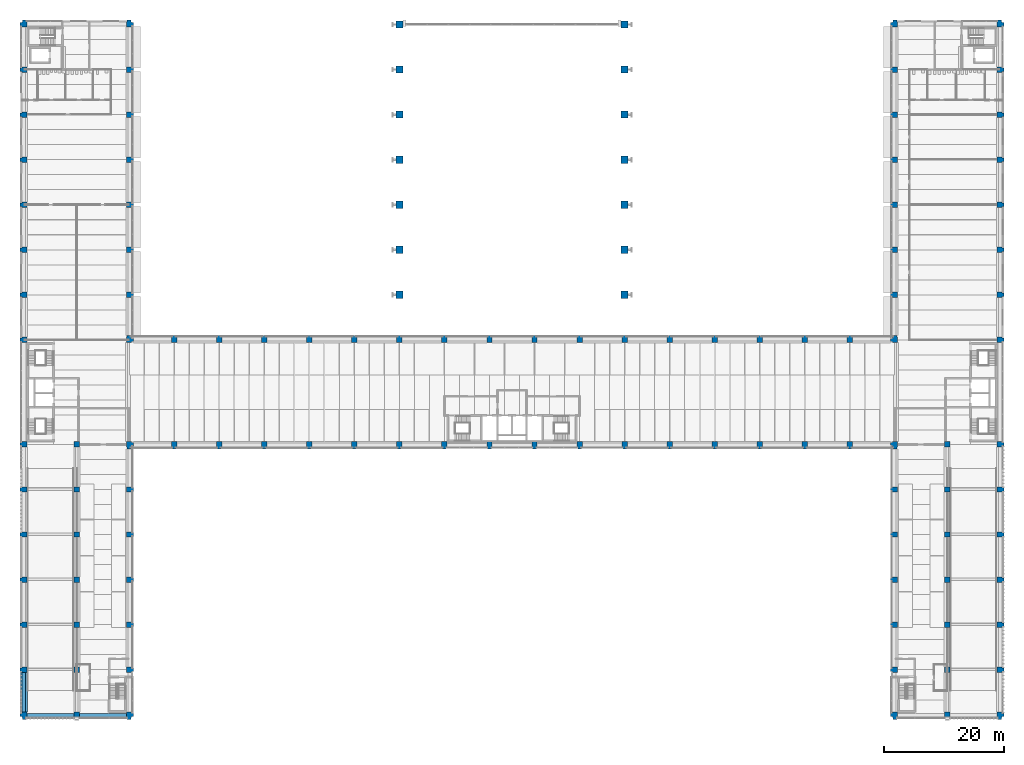
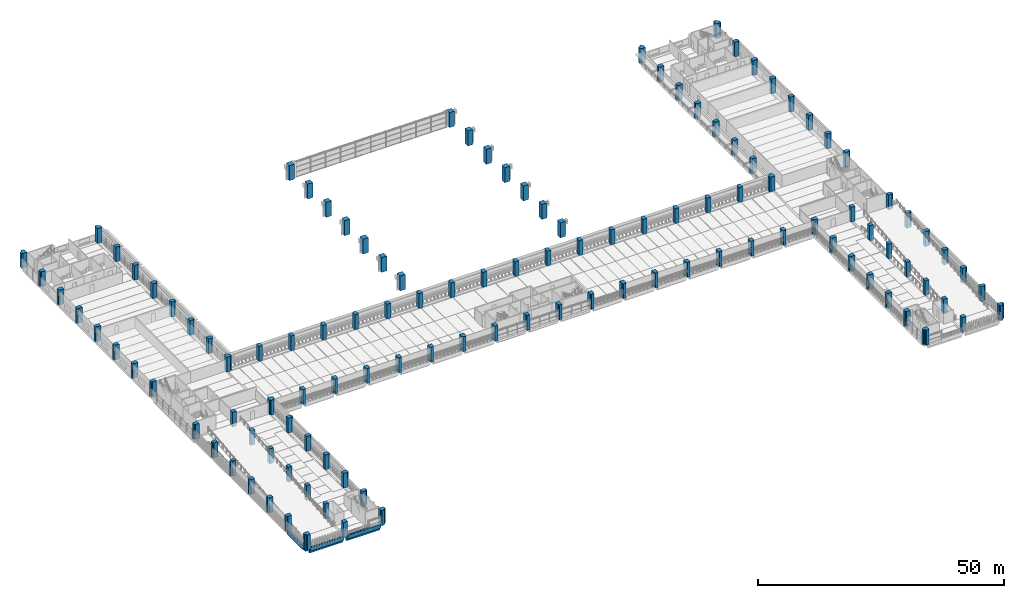
# One storey, part 1 of 57: 120 columns, 3 beams.
"""IFC4 building model written with IfcOpenShell, lengths in metres."""

import ifcopenshell
import ifcopenshell.guid

model = None  # the IFC model being written
_history = None  # IfcOwnerHistory: only IFC2X3 demands one
_inside = {}  # id of a spatial element -> (the spatial element, [elements in it])
_under = {}  # id of a project, library or spatial element -> (it, [spatial elements below it])
_declared = {}  # id of a project -> (the project, [libraries it declares])
_typed = {}  # id of a type object -> (the type object, [elements of that type])
_made_of = {}  # id of a material, layer set ... -> (it, [elements and type objects made of it])


def new_model(schema):
    """Start an empty IFC model of exactly this schema.

    Asked for "IFC4X3", IfcOpenShell would pick the latest addendum, in which some entities
    have other attributes; the version numbers below select the first issue.
    IFC2X3 requires an IfcOwnerHistory on every rooted entity: one is made here for all.
    """
    global model, _history
    if schema == "IFC4X3":
        model = ifcopenshell.file(schema_version=(4, 3, 0, 0))
    else:
        model = ifcopenshell.file(schema=schema)
    _inside.clear()
    _under.clear()
    _declared.clear()
    _typed.clear()
    _made_of.clear()
    _history = None
    if model.schema == "IFC2X3":
        org = make("IfcOrganization", Name="unknown")
        user = make(
            "IfcPersonAndOrganization",
            ThePerson=make("IfcPerson", FamilyName="unknown"),
            TheOrganization=org,
        )
        app = make(
            "IfcApplication",
            ApplicationDeveloper=org,
            Version="unknown",
            ApplicationFullName="unknown",
            ApplicationIdentifier="unknown",
        )
        _history = make(
            "IfcOwnerHistory",
            OwningUser=user,
            OwningApplication=app,
            ChangeAction="ADDED",
            CreationDate=0,
        )
    return model


def make(cls, **values):
    """One entity of the class cls with the attributes given. An attribute that is None is left unset."""
    return model.create_entity(
        cls, **{name: value for name, value in values.items() if value is not None}
    )


def rooted(cls, **values):
    """An entity with a GlobalId (a new one), such as an element, a storey or a relation."""
    return make(cls, GlobalId=ifcopenshell.guid.new(), OwnerHistory=_history, **values)


def si_unit(unit_type, name, prefix=None):
    """IfcSIUnit, for example si_unit("LENGTHUNIT", "METRE", prefix="MILLI")."""
    return make("IfcSIUnit", UnitType=unit_type, Prefix=prefix, Name=name)


def assignment(units):
    """IfcUnitAssignment: the units of a project."""
    return None if units is None else make("IfcUnitAssignment", Units=units)


def point(xyz):
    """IfcCartesianPoint."""
    return None if xyz is None else make("IfcCartesianPoint", Coordinates=xyz)


def direction(xyz):
    """IfcDirection."""
    return None if xyz is None else make("IfcDirection", DirectionRatios=xyz)


def frame(location, z_axis=None, x_axis=None):
    """IfcAxis2Placement3D, a coordinate frame: its origin and axes. An axis left out is left unset."""
    return make(
        "IfcAxis2Placement3D",
        Location=point(location),
        Axis=direction(z_axis),
        RefDirection=direction(x_axis),
    )


def frame_2d(location, x_axis=None):
    """IfcAxis2Placement2D, a coordinate frame in the plane: its origin and x axis."""
    return make(
        "IfcAxis2Placement2D", Location=point(location), RefDirection=direction(x_axis)
    )


def origin():
    """The frame at (0, 0, 0) with its axes left unset."""
    return frame((0.0, 0.0, 0.0))


def origin_2d():
    """The frame at (0, 0) in the plane with its x axis left unset."""
    return frame_2d((0.0, 0.0))


def place(relative_to, where):
    """IfcLocalPlacement: puts the frame where relative to a parent placement (None: the world)."""
    return make(
        "IfcLocalPlacement", PlacementRelTo=relative_to, RelativePlacement=where
    )


def context(
    kind, dimensions, precision=None, world=None, true_north=None, identifier=None
):
    """IfcGeometricRepresentationContext, for example the 3D "Model" context."""
    return make(
        "IfcGeometricRepresentationContext",
        ContextIdentifier=identifier,
        ContextType=kind,
        CoordinateSpaceDimension=dimensions,
        Precision=precision,
        WorldCoordinateSystem=world,
        TrueNorth=true_north,
    )


def subcontext(parent, identifier, kind, view, scale=None):
    """IfcGeometricRepresentationSubContext, for example "Body" below "Model"."""
    return make(
        "IfcGeometricRepresentationSubContext",
        ContextIdentifier=identifier,
        ContextType=kind,
        ParentContext=parent,
        TargetScale=scale,
        TargetView=view,
    )


def project(units=None, contexts=None):
    """IfcProject with its units and contexts."""
    return rooted(
        "IfcProject",
        Name="project",
        RepresentationContexts=contexts,
        UnitsInContext=assignment(units),
    )


def spatial(cls, under=None, at=None, **own):
    """A site, building, storey or space (cls), placed at a placement, below another one or the project."""
    s = rooted(cls, ObjectPlacement=at, **own)
    if under is not None:
        _under.setdefault(under.id(), (under, []))[1].append(s)
    return s


def polyline(points):
    """IfcPolyline through the points."""
    return make("IfcPolyline", Points=[point(p) for p in points])


def profile(cls, at=None, kind="AREA", **sizes):
    """A parametric profile (cls). Its sizes go by their IFC names, for example OverallWidth=200.0."""
    return make(cls, ProfileType=kind, Position=at, **sizes)


def rectangle(**sizes):
    """IfcRectangleProfileDef."""
    return profile("IfcRectangleProfileDef", **sizes)


def outline(outer, holes=None, kind="AREA"):
    """IfcArbitraryClosedProfileDef: a profile drawn as a closed curve; with holes, ...WithVoids."""
    if holes is None:
        return make("IfcArbitraryClosedProfileDef", ProfileType=kind, OuterCurve=outer)
    return make(
        "IfcArbitraryProfileDefWithVoids",
        ProfileType=kind,
        OuterCurve=outer,
        InnerCurves=holes,
    )


def extrude(swept, where, along, depth):
    """IfcExtrudedAreaSolid: the profile swept, set in the frame where, extruded along a direction by depth."""
    return make(
        "IfcExtrudedAreaSolid",
        SweptArea=swept,
        Position=where,
        ExtrudedDirection=direction(along),
        Depth=depth,
    )


def shape(context_of_items, identifier, shape_type, items):
    """IfcShapeRepresentation: the items that make up one representation, for example the "Body"."""
    return make(
        "IfcShapeRepresentation",
        ContextOfItems=context_of_items,
        RepresentationIdentifier=identifier,
        RepresentationType=shape_type,
        Items=items,
    )


def material(Name=None, Category=None):
    """IfcMaterial."""
    return make("IfcMaterial", Name=Name, Category=Category)


def material_profile(
    of_material, cross_section, Name=None, Category=None, Priority=None
):
    """IfcMaterialProfile: a cross section and its material."""
    return make(
        "IfcMaterialProfile",
        Name=Name,
        Material=of_material,
        Profile=cross_section,
        Priority=Priority,
        Category=Category,
    )


def profile_set(profiles, Name=None, composite=None):
    """IfcMaterialProfileSet."""
    return make(
        "IfcMaterialProfileSet",
        Name=Name,
        MaterialProfiles=profiles,
        CompositeProfile=composite,
    )


def made_of(thing, what):
    """Note that an element or type object is made of a material, layer set ...; save() writes the relation."""
    if what is not None:
        _made_of.setdefault(what.id(), (what, []))[1].append(thing)
    return thing


def type_object(cls, material=None, **own):
    """A type object (cls), such as IfcWallType, which elements share."""
    return made_of(rooted(cls, **own), material)


def element(
    cls,
    number,
    at=None,
    inside=None,
    cuts=None,
    type_object=None,
    material=None,
    context=None,
    identifier="Body",
    shape_type=None,
    held_by="IfcProductDefinitionShape",
    body=None,
    shapes=None,
    **own,
):
    """One element of the class cls, such as IfcWall. Its Tag is "e" and its number.

    at: its placement. inside: the storey or other place that contains it. cuts: it is an
    opening in that element (IfcRelVoidsElement). A single representation is given by context,
    identifier, shape_type and body (its items); several are given by shapes. held_by: the class
    of the entity that holds the representations. save() writes the other relations.
    """
    e = rooted(cls, Tag="e%d" % number, ObjectPlacement=at, **own)
    if body is not None:
        shapes = [shape(context, identifier, shape_type, body)]
    if shapes is not None:
        e.Representation = make(held_by, Representations=shapes)
    if inside is not None:
        _inside.setdefault(inside.id(), (inside, []))[1].append(e)
    if cuts is not None:
        rooted(
            "IfcRelVoidsElement", RelatingBuildingElement=cuts, RelatedOpeningElement=e
        )
    if type_object is not None:
        _typed.setdefault(type_object.id(), (type_object, []))[1].append(e)
    return made_of(e, material)


def aggregate(whole, parts):
    """IfcRelAggregates: a whole, such as a stair, and the parts it consists of."""
    return rooted("IfcRelAggregates", RelatingObject=whole, RelatedObjects=parts)


def save(model, path):
    """Write the relations noted so far, then the file.

    IfcRelAggregates (storeys below a building ...), IfcRelContainedInSpatialStructure (elements
    in a storey), IfcRelDefinesByType, IfcRelAssociatesMaterial and IfcRelDeclares: one each for
    every whole, place, type object, material and project.
    """
    for whole, parts in _under.values():
        aggregate(whole, parts)
    for where, things in _inside.values():
        rooted(
            "IfcRelContainedInSpatialStructure",
            RelatedElements=things,
            RelatingStructure=where,
        )
    for kind, things in _typed.values():
        rooted("IfcRelDefinesByType", RelatedObjects=things, RelatingType=kind)
    for what, things in _made_of.values():
        rooted("IfcRelAssociatesMaterial", RelatedObjects=things, RelatingMaterial=what)
    for by, libraries in _declared.values():
        rooted("IfcRelDeclares", RelatingContext=by, RelatedDefinitions=libraries)
    model.write(path)


model = new_model("IFC4")

# Units and contexts
model_context = context("Model", 3, precision=1e-05, world=origin(), true_north=direction((0.0, 1.0)))
body_context = subcontext(model_context, "Body", "Model", "MODEL_VIEW")
ifc_project = project(units=[si_unit("LENGTHUNIT", "METRE"), si_unit("AREAUNIT", "SQUARE_METRE"), si_unit("VOLUMEUNIT", "CUBIC_METRE"), si_unit("PLANEANGLEUNIT", "RADIAN"), si_unit("MASSUNIT", "GRAM", prefix="KILO")], contexts=[model_context])

# Site, building, storey
site_placement = place(None, origin())
site = spatial("IfcSite", under=ifc_project, at=site_placement, CompositionType="ELEMENT")
building_placement = place(site_placement, origin())
building = spatial("IfcBuilding", under=site, at=building_placement, Name="Cour d'Honneur Mobility Palace", CompositionType="ELEMENT")
storey_placement = place(building_placement, frame((0.0, 0.0, 8.199951171875)))
storey = spatial("IfcBuildingStorey", under=building, at=storey_placement, Name="L02", CompositionType="ELEMENT", Elevation=8.199951171875)

# Columns
ifc_material_1 = material(Name="Concrete C50", Category="concrete")
ifc_material_profile_1 = material_profile(ifc_material_1, rectangle(XDim=1.199951171875, YDim=1.199951171875, at=origin_2d()), Name="Hall pier 1200x1200")
ifc_profile_set_1 = profile_set([ifc_material_profile_1], Name="Concrete C50")
column_type_1 = type_object("IfcColumnType", Name="Hall pier 1200x1200", PredefinedType="COLUMN", material=ifc_profile_set_1)
for number, where, z_axis, x_axis, name in (
    (1, (62.39990234375, 69.89990234375, 0.0), (0.0, 0.0, 1.0), (1.0, 0.0, 0.0), "Hall pier HP-W2"),
    (2, (99.89990234375, 69.89990234375, 0.0), (0.0, 0.0, 1.0), (1.0, 0.0, 0.0), "Hall pier HP-E2"),
    (3, (62.39990234375, 77.39990234375, 0.0), (0.0, 0.0, 1.0), (1.0, 0.0, 0.0), "Hall pier HP-W3"),
    (4, (99.89990234375, 77.39990234375, 0.0), (0.0, 0.0, 1.0), (1.0, 0.0, 0.0), "Hall pier HP-E3"),
    (5, (62.39990234375, 84.89990234375, 0.0), (0.0, 0.0, 1.0), (1.0, 0.0, 0.0), "Hall pier HP-W4"),
    (6, (99.89990234375, 84.89990234375, 0.0), (0.0, 0.0, 1.0), (1.0, 0.0, 0.0), "Hall pier HP-E4"),
    (7, (62.39990234375, 92.39990234375, 0.0), (0.0, 0.0, 1.0), (1.0, 0.0, 0.0), "Hall pier HP-W5"),
    (8, (99.89990234375, 92.39990234375, 0.0), (0.0, 0.0, 1.0), (1.0, 0.0, 0.0), "Hall pier HP-E5"),
    (9, (62.39990234375, 99.89990234375, 0.0), (0.0, 0.0, 1.0), (1.0, 0.0, 0.0), "Hall pier HP-W6"),
    (10, (99.89990234375, 99.89990234375, 0.0), (0.0, 0.0, 1.0), (1.0, 0.0, 0.0), "Hall pier HP-E6"),
    (11, (62.39990234375, 107.39990234375, 0.0), (0.0, 0.0, 1.0), (1.0, 0.0, 0.0), "Hall pier HP-W7"),
    (12, (99.89990234375, 107.39990234375, 0.0), (0.0, 0.0, 1.0), (1.0, 0.0, 0.0), "Hall pier HP-E7"),
    (13, (62.39990234375, 114.89990234375, 0.0), (0.0, 0.0, 1.0), (1.0, 0.0, 0.0), "Hall pier HP-W8"),
    (14, (99.89990234375, 114.89990234375, 0.0), (0.0, 0.0, 1.0), (1.0, 0.0, 0.0), "Hall pier HP-E8"),
):
    element("IfcColumn", number, at=place(storey_placement, frame(where, z_axis=z_axis, x_axis=x_axis)), inside=storey, type_object=column_type_1, Name=name, PredefinedType="COLUMN", context=body_context, shape_type="SweptSolid", body=[
        extrude(rectangle(XDim=1.199951171875, YDim=1.199951171875, at=origin_2d()), origin(), (0.0, 0.0, 1.0), 3.699951171875),
    ])
ifc_material_2 = material(Name="Concrete C50", Category="concrete")
ifc_material_profile_2 = material_profile(ifc_material_2, outline(polyline([(-0.449951171875, -0.449951171875), (0.449951171875, -0.449951171875), (0.449951171875, -0.300048828125), (0.75, -0.300048828125), (0.75, 0.300048828125), (0.449951171875, 0.300048828125), (0.449951171875, 0.449951171875), (0.300048828125, 0.449951171875), (0.300048828125, 0.75), (-0.300048828125, 0.75), (-0.300048828125, 0.449951171875), (-0.449951171875, 0.449951171875), (-0.449951171875, -0.449951171875)])), Name="PC C900 corner")
ifc_profile_set_2 = profile_set([ifc_material_profile_2], Name="Concrete C50")
column_type_2 = type_object("IfcColumnType", Name="Precast Column 900 corner", PredefinedType="COLUMN", material=ifc_profile_set_2)
for number, where, z_axis, x_axis, name in (
    (15, (0.0, 0.0, 0.0), (0.0, 0.0, 1.0), (-1.0, 0.0, 0.0), "Precast column C1 1/A L02"),
    (16, (17.39990234375, 0.0, 0.0), (0.0, 0.0, 1.0), (0.0, -1.0, 0.0), "Precast column C1 2/A L02"),
    (17, (144.89990234375, 0.0, 0.0), (0.0, 0.0, 1.0), (-1.0, 0.0, 0.0), "Precast column C1 19/A L02"),
    (18, (162.300048828125, 0.0, 0.0), (0.0, 0.0, 1.0), (0.0, -1.0, 0.0), "Precast column C1 20/A L02"),
    (19, (17.39990234375, 45.0, 0.0), (0.0, 0.0, 1.0), (0.0, -1.0, 0.0), "Precast column C1 2/G L02"),
    (20, (144.89990234375, 45.0, 0.0), (0.0, 0.0, 1.0), (-1.0, 0.0, 0.0), "Precast column C1 19/G L02"),
    (21, (17.39990234375, 62.39990234375, 0.0), (0.0, 0.0, 1.0), (1.0, 0.0, 0.0), "Precast column C1 2/H L02"),
    (22, (144.89990234375, 62.39990234375, 0.0), (0.0, 0.0, 1.0), (0.0, 1.0, 0.0), "Precast column C1 19/H L02"),
    (23, (0.0, 114.89990234375, 0.0), (0.0, 0.0, 1.0), (0.0, 1.0, 0.0), "Precast column C1 1/Q L02"),
    (24, (17.39990234375, 114.89990234375, 0.0), (0.0, 0.0, 1.0), (1.0, 0.0, 0.0), "Precast column C1 2/Q L02"),
    (25, (144.89990234375, 114.89990234375, 0.0), (0.0, 0.0, 1.0), (0.0, 1.0, 0.0), "Precast column C1 19/Q L02"),
    (26, (162.300048828125, 114.89990234375, 0.0), (0.0, 0.0, 1.0), (1.0, 0.0, 0.0), "Precast column C1 20/Q L02"),
):
    element("IfcColumn", number, at=place(storey_placement, frame(where, z_axis=z_axis, x_axis=x_axis)), inside=storey, type_object=column_type_2, Name=name, PredefinedType="COLUMN", context=body_context, shape_type="SweptSolid", body=[
        extrude(outline(polyline([(-0.449951171875, -0.449951171875), (0.449951171875, -0.449951171875), (0.449951171875, -0.300048828125), (0.75, -0.300048828125), (0.75, 0.300048828125), (0.449951171875, 0.300048828125), (0.449951171875, 0.449951171875), (0.300048828125, 0.449951171875), (0.300048828125, 0.75), (-0.300048828125, 0.75), (-0.300048828125, 0.449951171875), (-0.449951171875, 0.449951171875), (-0.449951171875, -0.449951171875)])), origin(), (0.0, 0.0, 1.0), 3.699951171875),
    ])
ifc_material_3 = material(Name="Concrete C50", Category="concrete")
ifc_material_profile_3 = material_profile(ifc_material_3, outline(polyline([(-0.449951171875, -0.449951171875), (0.449951171875, -0.449951171875), (0.449951171875, -0.300048828125), (0.75, -0.300048828125), (0.75, 0.300048828125), (0.449951171875, 0.300048828125), (0.449951171875, 0.449951171875), (-0.449951171875, 0.449951171875), (-0.449951171875, -0.449951171875)])), Name="PC C900 pilaster")
ifc_profile_set_3 = profile_set([ifc_material_profile_3], Name="Concrete C50")
column_type_3 = type_object("IfcColumnType", Name="Precast Column 900 pilaster", PredefinedType="COLUMN", material=ifc_profile_set_3)
for number, where, z_axis, x_axis, name in (
    (27, (0.0, 7.5, 0.0), (0.0, 0.0, 1.0), (-1.0, 0.0, 0.0), "Precast column C3 1/B L02"),
    (28, (17.39990234375, 7.5, 0.0), (0.0, 0.0, 1.0), (1.0, 0.0, 0.0), "Precast column C3 2/B L02"),
    (29, (144.89990234375, 7.5, 0.0), (0.0, 0.0, 1.0), (-1.0, 0.0, 0.0), "Precast column C3 19/B L02"),
    (30, (162.300048828125, 7.5, 0.0), (0.0, 0.0, 1.0), (1.0, 0.0, 0.0), "Precast column C3 20/B L02"),
    (31, (0.0, 15.0, 0.0), (0.0, 0.0, 1.0), (-1.0, 0.0, 0.0), "Precast column C3 1/C L02"),
    (32, (17.39990234375, 15.0, 0.0), (0.0, 0.0, 1.0), (1.0, 0.0, 0.0), "Precast column C3 2/C L02"),
    (33, (144.89990234375, 15.0, 0.0), (0.0, 0.0, 1.0), (-1.0, 0.0, 0.0), "Precast column C3 19/C L02"),
    (34, (162.300048828125, 15.0, 0.0), (0.0, 0.0, 1.0), (1.0, 0.0, 0.0), "Precast column C3 20/C L02"),
    (35, (0.0, 22.5, 0.0), (0.0, 0.0, 1.0), (-1.0, 0.0, 0.0), "Precast column C3 1/D L02"),
    (36, (17.39990234375, 22.5, 0.0), (0.0, 0.0, 1.0), (1.0, 0.0, 0.0), "Precast column C3 2/D L02"),
    (37, (144.89990234375, 22.5, 0.0), (0.0, 0.0, 1.0), (-1.0, 0.0, 0.0), "Precast column C3 19/D L02"),
    (38, (162.300048828125, 22.5, 0.0), (0.0, 0.0, 1.0), (1.0, 0.0, 0.0), "Precast column C3 20/D L02"),
    (39, (0.0, 30.0, 0.0), (0.0, 0.0, 1.0), (-1.0, 0.0, 0.0), "Precast column C3 1/E L02"),
    (40, (17.39990234375, 30.0, 0.0), (0.0, 0.0, 1.0), (1.0, 0.0, 0.0), "Precast column C3 2/E L02"),
    (41, (144.89990234375, 30.0, 0.0), (0.0, 0.0, 1.0), (-1.0, 0.0, 0.0), "Precast column C3 19/E L02"),
    (42, (162.300048828125, 30.0, 0.0), (0.0, 0.0, 1.0), (1.0, 0.0, 0.0), "Precast column C3 20/E L02"),
    (43, (0.0, 37.5, 0.0), (0.0, 0.0, 1.0), (-1.0, 0.0, 0.0), "Precast column C3 1/F L02"),
    (44, (17.39990234375, 37.5, 0.0), (0.0, 0.0, 1.0), (1.0, 0.0, 0.0), "Precast column C3 2/F L02"),
    (45, (144.89990234375, 37.5, 0.0), (0.0, 0.0, 1.0), (-1.0, 0.0, 0.0), "Precast column C3 19/F L02"),
    (46, (162.300048828125, 37.5, 0.0), (0.0, 0.0, 1.0), (1.0, 0.0, 0.0), "Precast column C3 20/F L02"),
    (47, (0.0, 45.0, 0.0), (0.0, 0.0, 1.0), (-1.0, 0.0, 0.0), "Precast column C3 1/G L02"),
    (48, (24.89990234375, 45.0, 0.0), (0.0, 0.0, 1.0), (0.0, -1.0, 0.0), "Precast column C3 3/G L02"),
    (49, (32.39990234375, 45.0, 0.0), (0.0, 0.0, 1.0), (0.0, -1.0, 0.0), "Precast column C3 4/G L02"),
    (50, (39.89990234375, 45.0, 0.0), (0.0, 0.0, 1.0), (0.0, -1.0, 0.0), "Precast column C3 5/G L02"),
    (51, (47.39990234375, 45.0, 0.0), (0.0, 0.0, 1.0), (0.0, -1.0, 0.0), "Precast column C3 6/G L02"),
    (52, (54.89990234375, 45.0, 0.0), (0.0, 0.0, 1.0), (0.0, -1.0, 0.0), "Precast column C3 7/G L02"),
    (53, (62.39990234375, 45.0, 0.0), (0.0, 0.0, 1.0), (0.0, -1.0, 0.0), "Precast column C3 8/G L02"),
    (54, (69.89990234375, 45.0, 0.0), (0.0, 0.0, 1.0), (0.0, -1.0, 0.0), "Precast column C3 9/G L02"),
    (55, (77.39990234375, 45.0, 0.0), (0.0, 0.0, 1.0), (0.0, -1.0, 0.0), "Precast column C3 10/G L02"),
    (56, (84.89990234375, 45.0, 0.0), (0.0, 0.0, 1.0), (0.0, -1.0, 0.0), "Precast column C3 11/G L02"),
    (57, (92.39990234375, 45.0, 0.0), (0.0, 0.0, 1.0), (0.0, -1.0, 0.0), "Precast column C3 12/G L02"),
    (58, (99.89990234375, 45.0, 0.0), (0.0, 0.0, 1.0), (0.0, -1.0, 0.0), "Precast column C3 13/G L02"),
    (59, (107.39990234375, 45.0, 0.0), (0.0, 0.0, 1.0), (0.0, -1.0, 0.0), "Precast column C3 14/G L02"),
    (60, (114.89990234375, 45.0, 0.0), (0.0, 0.0, 1.0), (0.0, -1.0, 0.0), "Precast column C3 15/G L02"),
    (61, (122.39990234375, 45.0, 0.0), (0.0, 0.0, 1.0), (0.0, -1.0, 0.0), "Precast column C3 16/G L02"),
    (62, (129.89990234375, 45.0, 0.0), (0.0, 0.0, 1.0), (0.0, -1.0, 0.0), "Precast column C3 17/G L02"),
    (63, (137.39990234375, 45.0, 0.0), (0.0, 0.0, 1.0), (0.0, -1.0, 0.0), "Precast column C3 18/G L02"),
    (64, (162.300048828125, 45.0, 0.0), (0.0, 0.0, 1.0), (1.0, 0.0, 0.0), "Precast column C3 20/G L02"),
    (65, (0.0, 62.39990234375, 0.0), (0.0, 0.0, 1.0), (-1.0, 0.0, 0.0), "Precast column C3 1/H L02"),
    (66, (24.89990234375, 62.39990234375, 0.0), (0.0, 0.0, 1.0), (0.0, 1.0, 0.0), "Precast column C3 3/H L02"),
    (67, (32.39990234375, 62.39990234375, 0.0), (0.0, 0.0, 1.0), (0.0, 1.0, 0.0), "Precast column C3 4/H L02"),
    (68, (39.89990234375, 62.39990234375, 0.0), (0.0, 0.0, 1.0), (0.0, 1.0, 0.0), "Precast column C3 5/H L02"),
    (69, (47.39990234375, 62.39990234375, 0.0), (0.0, 0.0, 1.0), (0.0, 1.0, 0.0), "Precast column C3 6/H L02"),
    (70, (54.89990234375, 62.39990234375, 0.0), (0.0, 0.0, 1.0), (0.0, 1.0, 0.0), "Precast column C3 7/H L02"),
    (71, (62.39990234375, 62.39990234375, 0.0), (0.0, 0.0, 1.0), (0.0, 1.0, 0.0), "Precast column C3 8/H L02"),
    (72, (69.89990234375, 62.39990234375, 0.0), (0.0, 0.0, 1.0), (0.0, 1.0, 0.0), "Precast column C3 9/H L02"),
    (73, (77.39990234375, 62.39990234375, 0.0), (0.0, 0.0, 1.0), (0.0, 1.0, 0.0), "Precast column C3 10/H L02"),
    (74, (84.89990234375, 62.39990234375, 0.0), (0.0, 0.0, 1.0), (0.0, 1.0, 0.0), "Precast column C3 11/H L02"),
    (75, (92.39990234375, 62.39990234375, 0.0), (0.0, 0.0, 1.0), (0.0, 1.0, 0.0), "Precast column C3 12/H L02"),
    (76, (99.89990234375, 62.39990234375, 0.0), (0.0, 0.0, 1.0), (0.0, 1.0, 0.0), "Precast column C3 13/H L02"),
    (77, (107.39990234375, 62.39990234375, 0.0), (0.0, 0.0, 1.0), (0.0, 1.0, 0.0), "Precast column C3 14/H L02"),
    (78, (114.89990234375, 62.39990234375, 0.0), (0.0, 0.0, 1.0), (0.0, 1.0, 0.0), "Precast column C3 15/H L02"),
    (79, (122.39990234375, 62.39990234375, 0.0), (0.0, 0.0, 1.0), (0.0, 1.0, 0.0), "Precast column C3 16/H L02"),
    (80, (129.89990234375, 62.39990234375, 0.0), (0.0, 0.0, 1.0), (0.0, 1.0, 0.0), "Precast column C3 17/H L02"),
    (81, (137.39990234375, 62.39990234375, 0.0), (0.0, 0.0, 1.0), (0.0, 1.0, 0.0), "Precast column C3 18/H L02"),
    (82, (162.300048828125, 62.39990234375, 0.0), (0.0, 0.0, 1.0), (1.0, 0.0, 0.0), "Precast column C3 20/H L02"),
    (83, (0.0, 69.89990234375, 0.0), (0.0, 0.0, 1.0), (-1.0, 0.0, 0.0), "Precast column C3 1/J L02"),
    (84, (17.39990234375, 69.89990234375, 0.0), (0.0, 0.0, 1.0), (1.0, 0.0, 0.0), "Precast column C3 2/J L02"),
    (85, (144.89990234375, 69.89990234375, 0.0), (0.0, 0.0, 1.0), (-1.0, 0.0, 0.0), "Precast column C3 19/J L02"),
    (86, (162.300048828125, 69.89990234375, 0.0), (0.0, 0.0, 1.0), (1.0, 0.0, 0.0), "Precast column C3 20/J L02"),
    (87, (0.0, 77.39990234375, 0.0), (0.0, 0.0, 1.0), (-1.0, 0.0, 0.0), "Precast column C3 1/K L02"),
    (88, (17.39990234375, 77.39990234375, 0.0), (0.0, 0.0, 1.0), (1.0, 0.0, 0.0), "Precast column C3 2/K L02"),
    (89, (144.89990234375, 77.39990234375, 0.0), (0.0, 0.0, 1.0), (-1.0, 0.0, 0.0), "Precast column C3 19/K L02"),
    (90, (162.300048828125, 77.39990234375, 0.0), (0.0, 0.0, 1.0), (1.0, 0.0, 0.0), "Precast column C3 20/K L02"),
    (91, (0.0, 84.89990234375, 0.0), (0.0, 0.0, 1.0), (-1.0, 0.0, 0.0), "Precast column C3 1/L L02"),
    (92, (17.39990234375, 84.89990234375, 0.0), (0.0, 0.0, 1.0), (1.0, 0.0, 0.0), "Precast column C3 2/L L02"),
    (93, (144.89990234375, 84.89990234375, 0.0), (0.0, 0.0, 1.0), (-1.0, 0.0, 0.0), "Precast column C3 19/L L02"),
    (94, (162.300048828125, 84.89990234375, 0.0), (0.0, 0.0, 1.0), (1.0, 0.0, 0.0), "Precast column C3 20/L L02"),
    (95, (0.0, 92.39990234375, 0.0), (0.0, 0.0, 1.0), (-1.0, 0.0, 0.0), "Precast column C3 1/M L02"),
    (96, (17.39990234375, 92.39990234375, 0.0), (0.0, 0.0, 1.0), (1.0, 0.0, 0.0), "Precast column C3 2/M L02"),
    (97, (144.89990234375, 92.39990234375, 0.0), (0.0, 0.0, 1.0), (-1.0, 0.0, 0.0), "Precast column C3 19/M L02"),
    (98, (162.300048828125, 92.39990234375, 0.0), (0.0, 0.0, 1.0), (1.0, 0.0, 0.0), "Precast column C3 20/M L02"),
    (99, (0.0, 99.89990234375, 0.0), (0.0, 0.0, 1.0), (-1.0, 0.0, 0.0), "Precast column C3 1/N L02"),
    (100, (17.39990234375, 99.89990234375, 0.0), (0.0, 0.0, 1.0), (1.0, 0.0, 0.0), "Precast column C3 2/N L02"),
    (101, (144.89990234375, 99.89990234375, 0.0), (0.0, 0.0, 1.0), (-1.0, 0.0, 0.0), "Precast column C3 19/N L02"),
    (102, (162.300048828125, 99.89990234375, 0.0), (0.0, 0.0, 1.0), (1.0, 0.0, 0.0), "Precast column C3 20/N L02"),
    (103, (0.0, 107.39990234375, 0.0), (0.0, 0.0, 1.0), (-1.0, 0.0, 0.0), "Precast column C3 1/P L02"),
    (104, (17.39990234375, 107.39990234375, 0.0), (0.0, 0.0, 1.0), (1.0, 0.0, 0.0), "Precast column C3 2/P L02"),
    (105, (144.89990234375, 107.39990234375, 0.0), (0.0, 0.0, 1.0), (-1.0, 0.0, 0.0), "Precast column C3 19/P L02"),
    (106, (162.300048828125, 107.39990234375, 0.0), (0.0, 0.0, 1.0), (1.0, 0.0, 0.0), "Precast column C3 20/P L02"),
):
    element("IfcColumn", number, at=place(storey_placement, frame(where, z_axis=z_axis, x_axis=x_axis)), inside=storey, type_object=column_type_3, Name=name, PredefinedType="COLUMN", context=body_context, shape_type="SweptSolid", body=[
        extrude(outline(polyline([(-0.449951171875, -0.449951171875), (0.449951171875, -0.449951171875), (0.449951171875, -0.300048828125), (0.75, -0.300048828125), (0.75, 0.300048828125), (0.449951171875, 0.300048828125), (0.449951171875, 0.449951171875), (-0.449951171875, 0.449951171875), (-0.449951171875, -0.449951171875)])), origin(), (0.0, 0.0, 1.0), 3.699951171875),
    ])
ifc_material_4 = material(Name="Concrete C50", Category="concrete")
ifc_material_profile_4 = material_profile(ifc_material_4, outline(polyline([(-0.449951171875, -0.449951171875), (0.449951171875, -0.449951171875), (0.449951171875, 0.449951171875), (-0.449951171875, 0.449951171875), (-0.449951171875, -0.449951171875)])), Name="PC C900 plain")
ifc_profile_set_4 = profile_set([ifc_material_profile_4], Name="Concrete C50")
column_type_4 = type_object("IfcColumnType", Name="Precast Column 900 plain", PredefinedType="COLUMN", material=ifc_profile_set_4)
for number, where, z_axis, x_axis, name in (
    (107, (8.699951171875, 0.0, 0.0), (0.0, 0.0, 1.0), (1.0, 0.0, 0.0), "Precast column C2 1A/A L02"),
    (108, (153.60009765625, 0.0, 0.0), (0.0, 0.0, 1.0), (1.0, 0.0, 0.0), "Precast column C2 19A/A L02"),
    (109, (8.699951171875, 7.5, 0.0), (0.0, 0.0, 1.0), (1.0, 0.0, 0.0), "Precast column C2 1A/B L02"),
    (110, (153.60009765625, 7.5, 0.0), (0.0, 0.0, 1.0), (1.0, 0.0, 0.0), "Precast column C2 19A/B L02"),
    (111, (8.699951171875, 15.0, 0.0), (0.0, 0.0, 1.0), (1.0, 0.0, 0.0), "Precast column C2 1A/C L02"),
    (112, (153.60009765625, 15.0, 0.0), (0.0, 0.0, 1.0), (1.0, 0.0, 0.0), "Precast column C2 19A/C L02"),
    (113, (8.699951171875, 22.5, 0.0), (0.0, 0.0, 1.0), (1.0, 0.0, 0.0), "Precast column C2 1A/D L02"),
    (114, (153.60009765625, 22.5, 0.0), (0.0, 0.0, 1.0), (1.0, 0.0, 0.0), "Precast column C2 19A/D L02"),
    (115, (8.699951171875, 30.0, 0.0), (0.0, 0.0, 1.0), (1.0, 0.0, 0.0), "Precast column C2 1A/E L02"),
    (116, (153.60009765625, 30.0, 0.0), (0.0, 0.0, 1.0), (1.0, 0.0, 0.0), "Precast column C2 19A/E L02"),
    (117, (8.699951171875, 37.5, 0.0), (0.0, 0.0, 1.0), (1.0, 0.0, 0.0), "Precast column C2 1A/F L02"),
    (118, (153.60009765625, 37.5, 0.0), (0.0, 0.0, 1.0), (1.0, 0.0, 0.0), "Precast column C2 19A/F L02"),
    (119, (8.699951171875, 45.0, 0.0), (0.0, 0.0, 1.0), (1.0, 0.0, 0.0), "Precast column C2 1A/G L02"),
    (120, (153.60009765625, 45.0, 0.0), (0.0, 0.0, 1.0), (1.0, 0.0, 0.0), "Precast column C2 19A/G L02"),
):
    element("IfcColumn", number, at=place(storey_placement, frame(where, z_axis=z_axis, x_axis=x_axis)), inside=storey, type_object=column_type_4, Name=name, PredefinedType="COLUMN", context=body_context, shape_type="SweptSolid", body=[
        extrude(outline(polyline([(-0.449951171875, -0.449951171875), (0.449951171875, -0.449951171875), (0.449951171875, 0.449951171875), (-0.449951171875, 0.449951171875), (-0.449951171875, -0.449951171875)])), origin(), (0.0, 0.0, 1.0), 3.699951171875),
    ])

# Beams
ifc_material_5 = material(Name="Concrete C45", Category="concrete")
ifc_material_profile_5 = material_profile(ifc_material_5, outline(polyline([(0.22509765625, -1.300048828125), (0.22509765625, 0.0), (-0.22509765625, 0.0), (-0.449951171875, 0.0), (-0.449951171875, 0.300048828125), (-0.64990234375, 0.300048828125), (-0.64990234375, -0.60009765625), (-0.22509765625, -0.60009765625), (-0.22509765625, -1.300048828125), (0.22509765625, -1.300048828125)])), Name="Edge Spandrel Beam 450x1300 no ledge facade right")
ifc_profile_set_5 = profile_set([ifc_material_profile_5], Name="Concrete C45")
beam_type_1 = type_object("IfcBeamType", Name="Edge Spandrel Beam 450x1300 no ledge facade right", PredefinedType="SPANDREL", material=ifc_profile_set_5)
for number, where, z_axis, x_axis, name in (
    (121, (0.449951171875, 0.0, 0.0), (1.0, 0.0, 0.0), (0.0, 1.0, 0.0), "Precast beam B1 1-1A L02"),
    (122, (9.14990234375, 0.0, 0.0), (1.0, 0.0, 0.0), (0.0, 1.0, 0.0), "Precast beam B1 1A-2 L02"),
):
    element("IfcBeam", number, at=place(storey_placement, frame(where, z_axis=z_axis, x_axis=x_axis)), inside=storey, type_object=beam_type_1, Name=name, PredefinedType="SPANDREL", context=body_context, shape_type="SweptSolid", body=[
        extrude(outline(polyline([(0.22509765625, -1.300048828125), (0.22509765625, 0.0), (-0.22509765625, 0.0), (-0.449951171875, 0.0), (-0.449951171875, 0.300048828125), (-0.64990234375, 0.300048828125), (-0.64990234375, -0.60009765625), (-0.22509765625, -0.60009765625), (-0.22509765625, -1.300048828125), (0.22509765625, -1.300048828125)])), origin(), (0.0, 0.0, 1.0), 7.800048828125),
    ])
ifc_material_6 = material(Name="Concrete C45", Category="concrete")
ifc_material_profile_6 = material_profile(ifc_material_6, outline(polyline([(0.199951171875, -1.10009765625), (0.199951171875, -0.60009765625), (0.64990234375, -0.60009765625), (0.64990234375, 0.300048828125), (0.449951171875, 0.300048828125), (0.449951171875, 0.0), (0.199951171875, 0.0), (-0.199951171875, 0.0), (-0.199951171875, -0.800048828125), (-0.5, -0.800048828125), (-0.5, -1.10009765625), (0.199951171875, -1.10009765625)])), Name="Ledger Beam 400x1100 ledge right 300 facade left")
ifc_profile_set_6 = profile_set([ifc_material_profile_6], Name="Concrete C45")
beam_type_2 = type_object("IfcBeamType", Name="Ledger Beam 400x1100 ledge right 300 facade left", PredefinedType="BEAM", material=ifc_profile_set_6)
beam_placement = place(storey_placement, frame((0.0, 0.449951171875, 0.0), z_axis=(0.0, 1.0, 0.0), x_axis=(-1.0, 0.0, 0.0)))
element("IfcBeam", 123, at=beam_placement, inside=storey, type_object=beam_type_2, Name="Precast beam B6 A-B L02", PredefinedType="BEAM", context=body_context, shape_type="SweptSolid", body=[
    extrude(outline(polyline([(0.199951171875, -1.10009765625), (0.199951171875, -0.60009765625), (0.64990234375, -0.60009765625), (0.64990234375, 0.300048828125), (0.449951171875, 0.300048828125), (0.449951171875, 0.0), (0.199951171875, 0.0), (-0.199951171875, 0.0), (-0.199951171875, -0.800048828125), (-0.5, -0.800048828125), (-0.5, -1.10009765625), (0.199951171875, -1.10009765625)])), origin(), (0.0, 0.0, 1.0), 6.60009765625),
])

save(model, "model.ifc")
